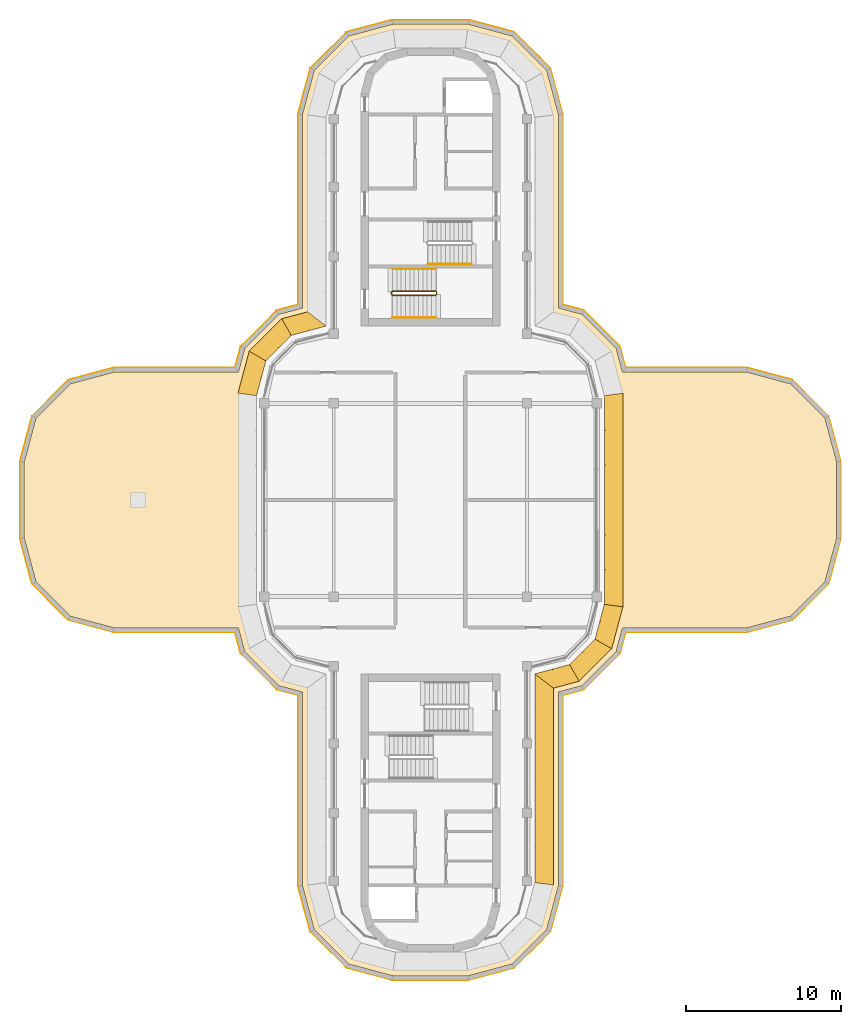
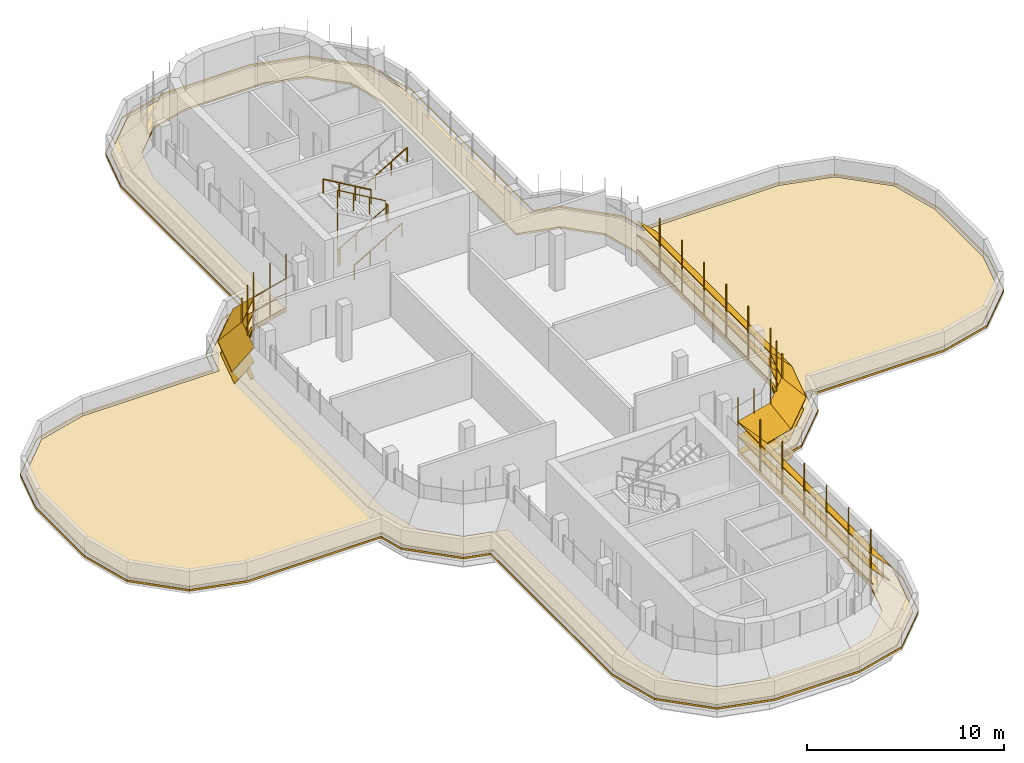
# One storey, part 12 of 13: 4 railings, 4 shading devices, 2 coverings.
"""IFC4 building model written with IfcOpenShell, lengths in metres."""

from ifc_helpers import new_model, si_unit, direction, frame, origin, origin_2d, place, context, subcontext, project, spatial, polyline, circle, outline, extrude, faceted_brep, source, transform, mapped, material, layer, layer_set, type_object, element, save


model = new_model("IFC4")

# Units and contexts
model_context = context("Model", 3, precision=1e-05, world=origin(), true_north=direction((0.0, 1.0)))
body_context = subcontext(model_context, "Body", "Model", "MODEL_VIEW")
ifc_project = project(units=[si_unit("LENGTHUNIT", "METRE"), si_unit("AREAUNIT", "SQUARE_METRE"), si_unit("VOLUMEUNIT", "CUBIC_METRE"), si_unit("PLANEANGLEUNIT", "RADIAN"), si_unit("MASSUNIT", "GRAM", prefix="KILO")], contexts=[model_context])

# Site, building, storey
site_placement = place(None, origin())
site = spatial("IfcSite", under=ifc_project, at=site_placement, CompositionType="ELEMENT")
building_placement = place(site_placement, origin())
building = spatial("IfcBuilding", under=site, at=building_placement, Name="Zarbagh Exchange Tower", CompositionType="ELEMENT")
storey_placement = place(building_placement, frame((0.0, 0.0, 298.800048828125)))
storey = spatial("IfcBuildingStorey", under=building, at=storey_placement, Name="L73", CompositionType="ELEMENT", Elevation=298.800048828125)

# Railings
ifc_material_1 = material(Name="Stainless steel", Category="steel")
railing_type_1 = type_object("IfcRailingType", Name="Stair guard 1100 mm", PredefinedType="GUARDRAIL", material=ifc_material_1)
railing_1_placement = place(storey_placement, frame((0.35009765625, 13.5, 1.963623046875)))
element("IfcRailing", 1, at=railing_1_placement, inside=storey, type_object=railing_type_1, Name="ST2 stair guard 1", PredefinedType="GUARDRAIL", context=body_context, shape_type="SweptSolid", body=[
    extrude(circle(Radius=0.02392578125, at=origin_2d()), frame((0.0, 0.0, 1.076171875), z_axis=(-0.863393664356, 0.0, 0.504530851732), x_axis=(0.0, -1.0, 0.0)), (0.0, 0.0, 1.0), 3.2431640625),
    extrude(circle(Radius=0.02392578125, at=origin_2d()), frame((-2.800048828125, 0.0, 2.71240234375), z_axis=(-0.013900331382, -0.013900331382, -0.999806762117), x_axis=(0.707106781187, -0.707106781187, 0.0)), (0.0, 0.0, 1.0), 3.6005859375),
    extrude(circle(Radius=0.02392578125, at=origin_2d()), frame((-2.85009765625, -0.050048828125, -0.8876953125), z_axis=(0.0, -1.0, 0.0), x_axis=(1.0, 0.0, 0.0)), (0.0, 0.0, 1.0), 0.14990234375),
    extrude(circle(Radius=0.02392578125, at=origin_2d()), frame((-2.85009765625, -0.199951171875, -0.8876953125), z_axis=(0.280808744504, -0.280808744504, 0.917765164963), x_axis=(0.707106781187, 0.707106781187, 0.0)), (0.0, 0.0, 1.0), 0.17822265625),
    extrude(circle(Radius=0.02392578125, at=origin_2d()), frame((-2.800048828125, -0.25, -0.72412109375), z_axis=(0.863360870873, 0.0, 0.504586966384), x_axis=(0.0, 1.0, 0.0)), (0.0, 0.0, 1.0), 3.2431640625),
    extrude(circle(Radius=0.02392578125, at=origin_2d()), frame((0.0, -0.25, 0.91259765625), z_axis=(0.705375805398, 0.708833529934, 0.0), x_axis=(-0.708833529934, 0.705375805398, 0.0)), (0.0, 0.0, 1.0), 0.070556640625),
    extrude(circle(Radius=0.02392578125, at=origin_2d()), frame((0.0498046875, -0.199951171875, 0.91259765625), z_axis=(0.0, 1.0, 0.0), x_axis=(-1.0, 0.0, 0.0)), (0.0, 0.0, 1.0), 0.14990234375),
    extrude(circle(Radius=0.02099609375, at=origin_2d()), origin(), (0.0, 0.0, 1.0), 1.052001953125),
    extrude(circle(Radius=0.02099609375, at=origin_2d()), frame((-0.933349609375, 0.0, 0.54541015625)), (0.0, 0.0, 1.0), 1.052001953125),
    extrude(circle(Radius=0.02099609375, at=origin_2d()), frame((-1.86669921875, 0.0, 1.0908203125)), (0.0, 0.0, 1.0), 1.052001953125),
    extrude(circle(Radius=0.02099609375, at=origin_2d()), frame((-2.800048828125, 0.0, 1.63623046875)), (0.0, 0.0, 1.0), 1.052001953125),
    extrude(circle(Radius=0.02099609375, at=origin_2d()), frame((-2.8125, -0.012451171875, 0.736328125)), (0.0, 0.0, 1.0), 1.052001953125),
    extrude(circle(Radius=0.02099609375, at=origin_2d()), frame((-2.8251953125, -0.02490234375, -0.16357421875)), (0.0, 0.0, 1.0), 1.052001953125),
    extrude(circle(Radius=0.02099609375, at=origin_2d()), frame((-2.837646484375, -0.03759765625, -1.063720703125)), (0.0, 0.0, 1.0), 1.052001953125),
    extrude(circle(Radius=0.02099609375, at=origin_2d()), frame((-2.85009765625, -0.050048828125, -1.963623046875)), (0.0, 0.0, 1.0), 1.052001953125),
    extrude(circle(Radius=0.02099609375, at=origin_2d()), frame((-2.85009765625, -0.199951171875, -1.963623046875)), (0.0, 0.0, 1.0), 1.052001953125),
    extrude(circle(Radius=0.02099609375, at=origin_2d()), frame((-2.800048828125, -0.25, -1.800048828125)), (0.0, 0.0, 1.0), 1.052001953125),
    extrude(circle(Radius=0.02099609375, at=origin_2d()), frame((-1.86669921875, -0.25, -1.254638671875)), (0.0, 0.0, 1.0), 1.052001953125),
    extrude(circle(Radius=0.02099609375, at=origin_2d()), frame((-0.933349609375, -0.25, -0.708984375)), (0.0, 0.0, 1.0), 1.052001953125),
    extrude(circle(Radius=0.02099609375, at=origin_2d()), frame((0.0, -0.25, -0.16357421875)), (0.0, 0.0, 1.0), 1.052001953125),
    extrude(circle(Radius=0.02099609375, at=origin_2d()), frame((0.0498046875, -0.199951171875, -0.16357421875)), (0.0, 0.0, 1.0), 1.052001953125),
    extrude(circle(Radius=0.02099609375, at=origin_2d()), frame((0.0498046875, -0.050048828125, -0.16357421875)), (0.0, 0.0, 1.0), 1.052001953125),
])
railing_type_2 = type_object("IfcRailingType", Name="Stair handrail 900 mm", PredefinedType="HANDRAIL", material=ifc_material_1)
railing_2_placement = place(storey_placement, frame((-0.14990234375, 15.25, 1.963623046875)))
element("IfcRailing", 2, at=railing_2_placement, inside=storey, type_object=railing_type_2, Name="ST1 stair handrail 2", PredefinedType="HANDRAIL", context=body_context, shape_type="SweptSolid", body=[
    extrude(circle(Radius=0.02392578125, at=origin_2d()), frame((0.0, 0.0, 0.8759765625), z_axis=(0.863374499697, 0.0, 0.504563646405), x_axis=(0.0, 1.0, 0.0)), (0.0, 0.0, 1.0), 3.242919921875),
    extrude(circle(Radius=0.02099609375, at=origin_2d()), origin(), (0.0, 0.0, 1.0), 0.851806640625),
    extrude(circle(Radius=0.02099609375, at=origin_2d()), frame((0.933349609375, 0.0, 0.54541015625)), (0.0, 0.0, 1.0), 0.851806640625),
    extrude(circle(Radius=0.02099609375, at=origin_2d()), frame((1.866455078125, 0.0, 1.0908203125)), (0.0, 0.0, 1.0), 0.851806640625),
    extrude(circle(Radius=0.02099609375, at=origin_2d()), frame((2.7998046875, 0.0, 1.63623046875)), (0.0, 0.0, 1.0), 0.851806640625),
])
railing_3_placement = place(storey_placement, frame((-2.449951171875, 11.800048828125, 0.16357421875)))
element("IfcRailing", 3, at=railing_3_placement, inside=storey, type_object=railing_type_2, Name="ST2 stair handrail 1", PredefinedType="HANDRAIL", context=body_context, shape_type="SweptSolid", body=[
    extrude(circle(Radius=0.02392578125, at=origin_2d()), frame((0.0, 0.0, 0.8759765625), z_axis=(0.863360870873, 0.0, 0.504586966384), x_axis=(0.0, 1.0, 0.0)), (0.0, 0.0, 1.0), 3.2431640625),
    extrude(circle(Radius=0.02099609375, at=origin_2d()), origin(), (0.0, 0.0, 1.0), 0.851806640625),
    extrude(circle(Radius=0.02099609375, at=origin_2d()), frame((0.933349609375, 0.0, 0.54541015625)), (0.0, 0.0, 1.0), 0.851806640625),
    extrude(circle(Radius=0.02099609375, at=origin_2d()), frame((1.86669921875, 0.0, 1.091064453125)), (0.0, 0.0, 1.0), 0.851806640625),
    extrude(circle(Radius=0.02099609375, at=origin_2d()), frame((2.800048828125, 0.0, 1.636474609375)), (0.0, 0.0, 1.0), 0.851806640625),
])
railing_4_placement = place(storey_placement, frame((0.35009765625, 14.949951171875, 1.963623046875)))
element("IfcRailing", 4, at=railing_4_placement, inside=storey, type_object=railing_type_2, Name="ST2 stair handrail 2", PredefinedType="HANDRAIL", context=body_context, shape_type="SweptSolid", body=[
    extrude(circle(Radius=0.02392578125, at=origin_2d()), frame((0.0, 0.0, 0.8759765625), z_axis=(-0.863393664356, 0.0, 0.504530851732), x_axis=(0.0, -1.0, 0.0)), (0.0, 0.0, 1.0), 3.2431640625),
    extrude(circle(Radius=0.02099609375, at=origin_2d()), origin(), (0.0, 0.0, 1.0), 0.851806640625),
    extrude(circle(Radius=0.02099609375, at=origin_2d()), frame((-0.933349609375, 0.0, 0.54541015625)), (0.0, 0.0, 1.0), 0.851806640625),
    extrude(circle(Radius=0.02099609375, at=origin_2d()), frame((-1.86669921875, 0.0, 1.0908203125)), (0.0, 0.0, 1.0), 0.851806640625),
    extrude(circle(Radius=0.02099609375, at=origin_2d()), frame((-2.800048828125, 0.0, 1.63623046875)), (0.0, 0.0, 1.0), 0.851806640625),
])

# Coverings
ifc_material_2 = material(Name="Bituminous membrane and screed")
ifc_layer = layer(ifc_material_2, 0.1201171875)
ifc_layer_set = layer_set([ifc_layer], Name="Terrace roofing build-up, waterproofing and screed")
covering_type = type_object("IfcCoveringType", Name="Terrace roofing build-up, waterproofing and screed", PredefinedType="ROOFING", material=ifc_layer_set)
covering_1_placement = place(storey_placement, origin())
element("IfcCovering", 5, at=covering_1_placement, inside=storey, type_object=covering_type, Name="crown roofing", PredefinedType="ROOFING", context=body_context, shape_type="SweptSolid", body=[
    extrude(outline(polyline([(-5.431640625, -30.260986328125), (-7.760986328125, -27.931640625), (-8.550048828125, -24.987060546875), (-8.550048828125, -12.631103515625), (-9.931640625, -12.260986328125), (-12.260986328125, -9.931640625), (-12.631103515625, -8.550048828125), (-20.487060546875, -8.550048828125), (-23.431640625, -7.760986328125), (-25.760986328125, -5.431640625), (-26.550048828125, -2.487060546875), (-26.550048828125, 2.487060546875), (-25.760986328125, 5.431640625), (-23.431640625, 7.760986328125), (-20.487060546875, 8.550048828125), (-12.631103515625, 8.550048828125), (-12.260986328125, 9.931640625), (-9.931640625, 12.260986328125), (-8.550048828125, 12.631103515625), (-8.550048828125, 24.987060546875), (-7.760986328125, 27.931640625), (-5.431640625, 30.260986328125), (-2.487060546875, 31.050048828125), (2.487060546875, 31.050048828125), (5.431640625, 30.260986328125), (7.760986328125, 27.931640625), (8.550048828125, 24.987060546875), (8.550048828125, 12.631103515625), (9.931640625, 12.260986328125), (12.260986328125, 9.931640625), (12.631103515625, 8.550048828125), (20.487060546875, 8.550048828125), (23.431640625, 7.760986328125), (25.760986328125, 5.431640625), (26.550048828125, 2.487060546875), (26.550048828125, -2.487060546875), (25.760986328125, -5.431640625), (23.431640625, -7.760986328125), (20.487060546875, -8.550048828125), (12.631103515625, -8.550048828125), (12.260986328125, -9.931640625), (9.931640625, -12.260986328125), (8.550048828125, -12.631103515625), (8.550048828125, -24.987060546875), (7.760986328125, -27.931640625), (5.431640625, -30.260986328125), (2.487060546875, -31.050048828125), (-2.487060546875, -31.050048828125), (-5.431640625, -30.260986328125)]), holes=[polyline([(-12.61572265625, -8.530029296875), (-12.242919921875, -9.92138671875), (-9.92138671875, -12.242919921875), (-8.530029296875, -12.61572265625), (-8.530029296875, -24.984375), (-7.742919921875, -27.92138671875), (-5.42138671875, -30.242919921875), (-2.484375, -31.030029296875), (2.484375, -31.030029296875), (5.42138671875, -30.242919921875), (7.742919921875, -27.92138671875), (8.530029296875, -24.984375), (8.530029296875, -12.61572265625), (9.92138671875, -12.242919921875), (12.242919921875, -9.92138671875), (12.61572265625, -8.530029296875), (20.484375, -8.530029296875), (23.42138671875, -7.742919921875), (25.742919921875, -5.42138671875), (26.530029296875, -2.484375), (26.530029296875, 2.484375), (25.742919921875, 5.42138671875), (23.42138671875, 7.742919921875), (20.484375, 8.530029296875), (12.61572265625, 8.530029296875), (12.242919921875, 9.92138671875), (9.92138671875, 12.242919921875), (8.530029296875, 12.61572265625), (8.530029296875, 24.984375), (7.742919921875, 27.92138671875), (5.42138671875, 30.242919921875), (2.484375, 31.030029296875), (-2.484375, 31.030029296875), (-5.42138671875, 30.242919921875), (-7.742919921875, 27.92138671875), (-8.530029296875, 24.984375), (-8.530029296875, 12.61572265625), (-9.92138671875, 12.242919921875), (-12.242919921875, 9.92138671875), (-12.61572265625, 8.530029296875), (-20.484375, 8.530029296875), (-23.42138671875, 7.742919921875), (-25.742919921875, 5.42138671875), (-26.530029296875, 2.484375), (-26.530029296875, -2.484375), (-25.742919921875, -5.42138671875), (-23.42138671875, -7.742919921875), (-20.484375, -8.530029296875), (-12.61572265625, -8.530029296875)])]), origin(), (0.0, 0.0, 1.0), 0.119873046875),
])
covering_2_placement = place(storey_placement, origin())
element("IfcCovering", 6, at=covering_2_placement, inside=storey, type_object=covering_type, Name="crown roofing", PredefinedType="ROOFING", context=body_context, shape_type="SweptSolid", body=[
    extrude(outline(polyline([(-8.280029296875, 24.951416015625), (-7.518798828125, 27.7919921875), (-5.2919921875, 30.018798828125), (-2.451416015625, 30.780029296875), (2.451416015625, 30.780029296875), (5.2919921875, 30.018798828125), (7.518798828125, 27.7919921875), (8.280029296875, 24.951416015625), (8.280029296875, 12.424072265625), (9.7919921875, 12.018798828125), (12.018798828125, 9.7919921875), (12.424072265625, 8.280029296875), (20.451416015625, 8.280029296875), (23.2919921875, 7.518798828125), (25.518798828125, 5.2919921875), (26.280029296875, 2.451416015625), (26.280029296875, -2.451416015625), (25.518798828125, -5.2919921875), (23.2919921875, -7.518798828125), (20.451416015625, -8.280029296875), (12.424072265625, -8.280029296875), (12.018798828125, -9.7919921875), (9.7919921875, -12.018798828125), (8.280029296875, -12.424072265625), (8.280029296875, -24.951416015625), (7.518798828125, -27.7919921875), (5.2919921875, -30.018798828125), (2.451416015625, -30.780029296875), (-2.451416015625, -30.780029296875), (-5.2919921875, -30.018798828125), (-7.518798828125, -27.7919921875), (-8.280029296875, -24.951416015625), (-8.280029296875, -12.424072265625), (-9.7919921875, -12.018798828125), (-12.018798828125, -9.7919921875), (-12.424072265625, -8.280029296875), (-20.451416015625, -8.280029296875), (-23.2919921875, -7.518798828125), (-25.518798828125, -5.2919921875), (-26.280029296875, -2.451416015625), (-26.280029296875, 2.451416015625), (-25.518798828125, 5.2919921875), (-23.2919921875, 7.518798828125), (-20.451416015625, 8.280029296875), (-12.424072265625, 8.280029296875), (-12.018798828125, 9.7919921875), (-9.7919921875, 12.018798828125), (-8.280029296875, 12.424072265625), (-8.280029296875, 24.951416015625)]), holes=[polyline([(6.147216796875, -27.0), (6.75, -24.75), (6.75, -11.25), (9.0, -10.647216796875), (10.647216796875, -9.0), (11.25, -6.75), (11.25, 6.75), (10.647216796875, 9.0), (9.0, 10.647216796875), (6.75, 11.25), (6.75, 24.75), (6.147216796875, 27.0), (4.5, 28.647216796875), (2.25, 29.25), (-2.25, 29.25), (-4.5, 28.647216796875), (-6.147216796875, 27.0), (-6.75, 24.75), (-6.75, 11.25), (-9.0, 10.647216796875), (-10.647216796875, 9.0), (-11.25, 6.75), (-11.25, -6.75), (-10.647216796875, -9.0), (-9.0, -10.647216796875), (-6.75, -11.25), (-6.75, -24.75), (-6.147216796875, -27.0), (-4.5, -28.647216796875), (-2.25, -29.25), (2.25, -29.25), (4.5, -28.647216796875), (6.147216796875, -27.0)])]), origin(), (0.0, 0.0, 1.0), 0.119873046875),
])

# Shading devices
ifc_material_3 = material(Name="Anodised aluminium blades and brackets", Category="aluminium")
shading_device_type = type_object("IfcShadingDeviceType", Name="SUNSHADE louvre band, 45 degree blades", PredefinedType="JALOUSIE", material=ifc_material_3)
shared_shape_1 = source(origin(), body_context, "Body", "Brep", [
    faceted_brep([(0.0, 0.0, 0.0), (0.0, 0.0, -0.056640625), (0.9208984375, -1.199951171875, -1.256591796875), (0.9208984375, -1.199951171875, -1.199951171875), (2.65087890625, -1.199951171875, -1.199951171875), (2.65087890625, -1.199951171875, -1.256591796875), (2.329345703125, 0.0, -0.056640625), (2.329345703125, 0.0, 0.0)], [[[0, 1, 2, 3]], [[4, 5, 6, 7]], [[0, 7, 6, 1]], [[1, 6, 5, 2]], [[2, 5, 4, 3]], [[3, 4, 7, 0]]]),
])
shared_shape_2 = source(origin(), body_context, "Body", "Brep", [
    faceted_brep([(0.0, 0.0, 0.0), (0.0, 0.0, -0.056640625), (-0.321533203125, -1.199951171875, -1.256591796875), (-0.321533203125, -1.199951171875, -1.199951171875), (2.65087890625, -1.199951171875, -1.199951171875), (2.65087890625, -1.199951171875, -1.256591796875), (2.329345703125, 0.0, -0.056640625), (2.329345703125, 0.0, 0.0)], [[[0, 1, 2, 3]], [[4, 5, 6, 7]], [[0, 7, 6, 1]], [[1, 6, 5, 2]], [[2, 5, 4, 3]], [[3, 4, 7, 0]]]),
])
shared_shape_3 = source(origin(), body_context, "Body", "Brep", [
    faceted_brep([(0.0, 0.0, 0.0), (0.0, 0.0, -0.056640625), (-0.321533203125, -1.199951171875, -1.256591796875), (-0.321533203125, -1.199951171875, -1.199951171875), (2.4873046875, -1.199951171875, -1.199951171875), (2.4873046875, -1.199951171875, -1.256591796875), (2.329345703125, 0.0, -0.056640625), (2.329345703125, 0.0, 0.0)], [[[0, 1, 2, 3]], [[4, 5, 6, 7]], [[0, 7, 6, 1]], [[1, 6, 5, 2]], [[2, 5, 4, 3]], [[3, 4, 7, 0]]]),
])
shared_shape_4 = source(origin(), body_context, "Body", "SweptSolid", [
    extrude(outline(polyline([(0.0, -0.012451171875), (0.06005859375, -0.012451171875), (0.06005859375, 0.012451171875), (0.0, 0.012451171875), (0.0, -0.012451171875)])), origin(), (0.0, 0.0, 1.0), 3.366455078125),
])
placement = place(storey_placement, origin())
element("IfcShadingDevice", 7, at=placement, inside=storey, type_object=shading_device_type, Name="SS03 sunshade band", PredefinedType="JALOUSIE", context=body_context, shape_type="MappedRepresentation", body=[
    mapped(shared_shape_1, transform((6.75, -11.25, 2.099853515625), x_axis=(0.965924289636, 0.258824779902, 0.0), y_axis=(-0.258824779902, 0.965924289636, 0.0), z_axis=(0.0, 0.0, 1.0))),
    mapped(shared_shape_1, transform((6.75, -11.25, 1.199951171875), x_axis=(0.965924289636, 0.258824779902, 0.0), y_axis=(-0.258824779902, 0.965924289636, 0.0), z_axis=(0.0, 0.0, 1.0))),
    mapped(shared_shape_1, transform((6.75, -11.25, 0.300048828125), x_axis=(0.965924289636, 0.258824779902, 0.0), y_axis=(-0.258824779902, 0.965924289636, 0.0), z_axis=(0.0, 0.0, 1.0))),
    mapped(shared_shape_2, transform((9.0, -10.647216796875, 2.099853515625), x_axis=(0.707106781187, 0.707106781187, 0.0), y_axis=(-0.707106781187, 0.707106781187, 0.0), z_axis=(0.0, 0.0, 1.0))),
    mapped(shared_shape_2, transform((9.0, -10.647216796875, 1.199951171875), x_axis=(0.707106781187, 0.707106781187, 0.0), y_axis=(-0.707106781187, 0.707106781187, 0.0), z_axis=(0.0, 0.0, 1.0))),
    mapped(shared_shape_2, transform((9.0, -10.647216796875, 0.300048828125), x_axis=(0.707106781187, 0.707106781187, 0.0), y_axis=(-0.707106781187, 0.707106781187, 0.0), z_axis=(0.0, 0.0, 1.0))),
    mapped(shared_shape_3, transform((10.647216796875, -9.0, 2.099853515625), x_axis=(0.258824779902, 0.965924289636, 0.0), y_axis=(-0.965924289636, 0.258824779902, 0.0), z_axis=(0.0, 0.0, 1.0))),
    mapped(shared_shape_3, transform((10.647216796875, -9.0, 1.199951171875), x_axis=(0.258824779902, 0.965924289636, 0.0), y_axis=(-0.965924289636, 0.258824779902, 0.0), z_axis=(0.0, 0.0, 1.0))),
    mapped(shared_shape_3, transform((10.647216796875, -9.0, 0.300048828125), x_axis=(0.258824779902, 0.965924289636, 0.0), y_axis=(-0.965924289636, 0.258824779902, 0.0), z_axis=(0.0, 0.0, 1.0))),
    mapped(shared_shape_4, transform((6.75, -11.25, 0.21337890625), x_axis=(0.793355287, -0.608758892, 0.0), y_axis=(0.608758892, 0.793355287, 0.0), z_axis=(0.0, 0.0, 1.0))),
    mapped(shared_shape_4, transform((7.875, -10.948486328125, 0.21337890625), x_axis=(0.258825058029, -0.96592421511, 0.0), y_axis=(0.96592421511, 0.258825058029, 0.0), z_axis=(0.0, 0.0, 1.0))),
    mapped(shared_shape_4, transform((9.0, -10.647216796875, 0.21337890625), x_axis=(0.50000275701, -0.866023812018, 0.0), y_axis=(0.866023812018, 0.50000275701, 0.0), z_axis=(0.0, 0.0, 1.0))),
    mapped(shared_shape_4, transform((9.823486328125, -9.823486328125, 0.21337890625), x_axis=(0.707106781187, -0.707106781187, 0.0), y_axis=(0.707106781187, 0.707106781187, 0.0), z_axis=(0.0, 0.0, 1.0))),
    mapped(shared_shape_4, transform((10.647216796875, -9.0, 0.21337890625), x_axis=(0.866023812018, -0.50000275701, 0.0), y_axis=(0.50000275701, 0.866023812018, 0.0), z_axis=(0.0, 0.0, 1.0))),
    mapped(shared_shape_4, transform((10.948486328125, -7.875, 0.21337890625), x_axis=(0.96592421511, -0.258825058029, 0.0), y_axis=(0.258825058029, 0.96592421511, 0.0), z_axis=(0.0, 0.0, 1.0))),
])
element("IfcShadingDevice", 8, at=placement, inside=storey, type_object=shading_device_type, Name="SS15 sunshade band", PredefinedType="JALOUSIE", context=body_context, shape_type="MappedRepresentation", body=[
    mapped(shared_shape_1, transform((-6.75, 11.25, 2.099853515625), x_axis=(-0.965924289636, -0.258824779902, 0.0), y_axis=(0.258824779902, -0.965924289636, 0.0), z_axis=(0.0, 0.0, 1.0))),
    mapped(shared_shape_1, transform((-6.75, 11.25, 1.199951171875), x_axis=(-0.965924289636, -0.258824779902, 0.0), y_axis=(0.258824779902, -0.965924289636, 0.0), z_axis=(0.0, 0.0, 1.0))),
    mapped(shared_shape_1, transform((-6.75, 11.25, 0.300048828125), x_axis=(-0.965924289636, -0.258824779902, 0.0), y_axis=(0.258824779902, -0.965924289636, 0.0), z_axis=(0.0, 0.0, 1.0))),
    mapped(shared_shape_2, transform((-9.0, 10.647216796875, 2.099853515625), x_axis=(-0.707106781187, -0.707106781187, 0.0), y_axis=(0.707106781187, -0.707106781187, 0.0), z_axis=(0.0, 0.0, 1.0))),
    mapped(shared_shape_2, transform((-9.0, 10.647216796875, 1.199951171875), x_axis=(-0.707106781187, -0.707106781187, 0.0), y_axis=(0.707106781187, -0.707106781187, 0.0), z_axis=(0.0, 0.0, 1.0))),
    mapped(shared_shape_2, transform((-9.0, 10.647216796875, 0.300048828125), x_axis=(-0.707106781187, -0.707106781187, 0.0), y_axis=(0.707106781187, -0.707106781187, 0.0), z_axis=(0.0, 0.0, 1.0))),
    mapped(shared_shape_3, transform((-10.647216796875, 9.0, 2.099853515625), x_axis=(-0.258824779902, -0.965924289636, 0.0), y_axis=(0.965924289636, -0.258824779902, 0.0), z_axis=(0.0, 0.0, 1.0))),
    mapped(shared_shape_3, transform((-10.647216796875, 9.0, 1.199951171875), x_axis=(-0.258824779902, -0.965924289636, 0.0), y_axis=(0.965924289636, -0.258824779902, 0.0), z_axis=(0.0, 0.0, 1.0))),
    mapped(shared_shape_3, transform((-10.647216796875, 9.0, 0.300048828125), x_axis=(-0.258824779902, -0.965924289636, 0.0), y_axis=(0.965924289636, -0.258824779902, 0.0), z_axis=(0.0, 0.0, 1.0))),
    mapped(shared_shape_4, transform((-6.75, 11.25, 0.21337890625), x_axis=(-0.793355287, 0.608758892, 0.0), y_axis=(-0.608758892, -0.793355287, 0.0), z_axis=(0.0, 0.0, 1.0))),
    mapped(shared_shape_4, transform((-7.875, 10.948486328125, 0.21337890625), x_axis=(-0.258825058029, 0.96592421511, 0.0), y_axis=(-0.96592421511, -0.258825058029, 0.0), z_axis=(0.0, 0.0, 1.0))),
    mapped(shared_shape_4, transform((-9.0, 10.647216796875, 0.21337890625), x_axis=(-0.50000275701, 0.866023812018, 0.0), y_axis=(-0.866023812018, -0.50000275701, 0.0), z_axis=(0.0, 0.0, 1.0))),
    mapped(shared_shape_4, transform((-9.823486328125, 9.823486328125, 0.21337890625), x_axis=(-0.707106781187, 0.707106781187, 0.0), y_axis=(-0.707106781187, -0.707106781187, 0.0), z_axis=(0.0, 0.0, 1.0))),
    mapped(shared_shape_4, transform((-10.647216796875, 9.0, 0.21337890625), x_axis=(-0.866023812018, 0.50000275701, 0.0), y_axis=(-0.50000275701, -0.866023812018, 0.0), z_axis=(0.0, 0.0, 1.0))),
    mapped(shared_shape_4, transform((-10.948486328125, 7.875, 0.21337890625), x_axis=(-0.96592421511, 0.258825058029, 0.0), y_axis=(-0.258825058029, -0.96592421511, 0.0), z_axis=(0.0, 0.0, 1.0))),
])
shared_shape_5 = source(origin(), body_context, "Body", "Brep", [
    faceted_brep([(0.0, 0.0, 0.0), (0.0, 0.0, -0.056640625), (-0.157958984375, -1.199951171875, -1.256591796875), (-0.157958984375, -1.199951171875, -1.199951171875), (12.5791015625, -1.199951171875, -1.199951171875), (12.5791015625, -1.199951171875, -1.256591796875), (13.5, 0.0, -0.056640625), (13.5, 0.0, 0.0)], [[[0, 1, 2, 3]], [[4, 5, 6, 7]], [[0, 7, 6, 1]], [[1, 6, 5, 2]], [[2, 5, 4, 3]], [[3, 4, 7, 0]]]),
])
element("IfcShadingDevice", 9, at=placement, inside=storey, type_object=shading_device_type, Name="SS56 sunshade band", PredefinedType="JALOUSIE", context=body_context, shape_type="MappedRepresentation", body=[
    mapped(shared_shape_5, transform((6.75, -24.75, 2.099853515625), x_axis=(0.0, 1.0, 0.0), y_axis=(-1.0, 0.0, 0.0), z_axis=(0.0, 0.0, 1.0))),
    mapped(shared_shape_5, transform((6.75, -24.75, 1.199951171875), x_axis=(0.0, 1.0, 0.0), y_axis=(-1.0, 0.0, 0.0), z_axis=(0.0, 0.0, 1.0))),
    mapped(shared_shape_5, transform((6.75, -24.75, 0.300048828125), x_axis=(0.0, 1.0, 0.0), y_axis=(-1.0, 0.0, 0.0), z_axis=(0.0, 0.0, 1.0))),
    mapped(shared_shape_4, transform((6.75, -24.75, 0.21337890625), x_axis=(0.991444457092, -0.130529263012, 0.0), y_axis=(0.130529263012, 0.991444457092, 0.0), z_axis=(0.0, 0.0, 1.0))),
    mapped(shared_shape_4, transform((6.75, -22.5, 0.21337890625), x_axis=(1.0, 0.0, 0.0), y_axis=(0.0, 1.0, 0.0), z_axis=(0.0, 0.0, 1.0))),
    mapped(shared_shape_4, transform((6.75, -20.25, 0.21337890625), x_axis=(1.0, 0.0, 0.0), y_axis=(0.0, 1.0, 0.0), z_axis=(0.0, 0.0, 1.0))),
    mapped(shared_shape_4, transform((6.75, -18.0, 0.21337890625), x_axis=(1.0, 0.0, 0.0), y_axis=(0.0, 1.0, 0.0), z_axis=(0.0, 0.0, 1.0))),
    mapped(shared_shape_4, transform((6.75, -15.75, 0.21337890625), x_axis=(1.0, 0.0, 0.0), y_axis=(0.0, 1.0, 0.0), z_axis=(0.0, 0.0, 1.0))),
    mapped(shared_shape_4, transform((6.75, -13.5, 0.21337890625), x_axis=(1.0, 0.0, 0.0), y_axis=(0.0, 1.0, 0.0), z_axis=(0.0, 0.0, 1.0))),
])
shared_shape_6 = source(origin(), body_context, "Body", "Brep", [
    faceted_brep([(0.0, 0.0, 0.0), (0.0, 0.0, -0.056640625), (-0.157958984375, -1.199951171875, -1.256591796875), (-0.157958984375, -1.199951171875, -1.199951171875), (13.657958984375, -1.199951171875, -1.199951171875), (13.657958984375, -1.199951171875, -1.256591796875), (13.5, 0.0, -0.056640625), (13.5, 0.0, 0.0)], [[[0, 1, 2, 3]], [[4, 5, 6, 7]], [[0, 7, 6, 1]], [[1, 6, 5, 2]], [[2, 5, 4, 3]], [[3, 4, 7, 0]]]),
])
element("IfcShadingDevice", 10, at=placement, inside=storey, type_object=shading_device_type, Name="SS70 sunshade band", PredefinedType="JALOUSIE", context=body_context, shape_type="MappedRepresentation", body=[
    mapped(shared_shape_6, transform((11.25, -6.75, 2.099853515625), x_axis=(0.0, 1.0, 0.0), y_axis=(-1.0, 0.0, 0.0), z_axis=(0.0, 0.0, 1.0))),
    mapped(shared_shape_6, transform((11.25, -6.75, 1.199951171875), x_axis=(0.0, 1.0, 0.0), y_axis=(-1.0, 0.0, 0.0), z_axis=(0.0, 0.0, 1.0))),
    mapped(shared_shape_6, transform((11.25, -6.75, 0.300048828125), x_axis=(0.0, 1.0, 0.0), y_axis=(-1.0, 0.0, 0.0), z_axis=(0.0, 0.0, 1.0))),
    mapped(shared_shape_4, transform((11.25, -6.75, 0.21337890625), x_axis=(0.991444457092, -0.130529263012, 0.0), y_axis=(0.130529263012, 0.991444457092, 0.0), z_axis=(0.0, 0.0, 1.0))),
    mapped(shared_shape_4, transform((11.25, -4.5, 0.21337890625), x_axis=(1.0, 0.0, 0.0), y_axis=(0.0, 1.0, 0.0), z_axis=(0.0, 0.0, 1.0))),
    mapped(shared_shape_4, transform((11.25, -2.25, 0.21337890625), x_axis=(1.0, 0.0, 0.0), y_axis=(0.0, 1.0, 0.0), z_axis=(0.0, 0.0, 1.0))),
    mapped(shared_shape_4, transform((11.25, 0.0, 0.21337890625), x_axis=(1.0, 0.0, 0.0), y_axis=(0.0, 1.0, 0.0), z_axis=(0.0, 0.0, 1.0))),
    mapped(shared_shape_4, transform((11.25, 2.25, 0.21337890625), x_axis=(1.0, 0.0, 0.0), y_axis=(0.0, 1.0, 0.0), z_axis=(0.0, 0.0, 1.0))),
    mapped(shared_shape_4, transform((11.25, 4.5, 0.21337890625), x_axis=(1.0, 0.0, 0.0), y_axis=(0.0, 1.0, 0.0), z_axis=(0.0, 0.0, 1.0))),
])

save(model, "model.ifc")
